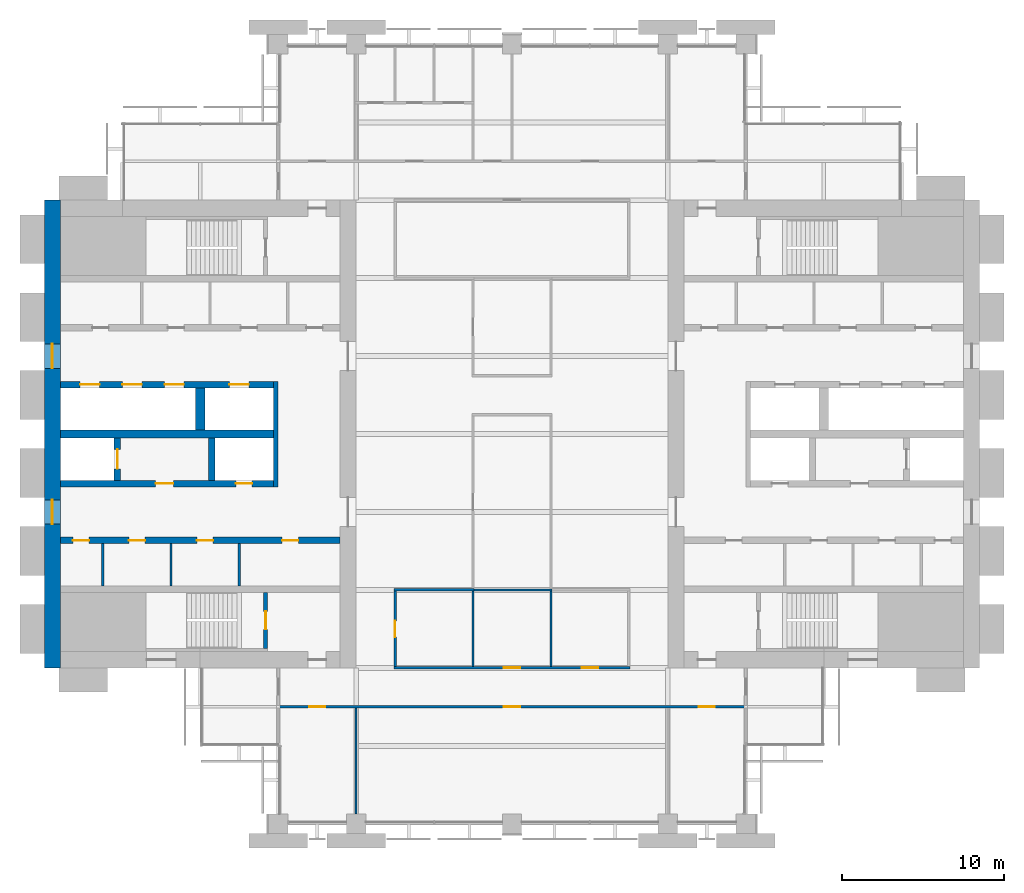
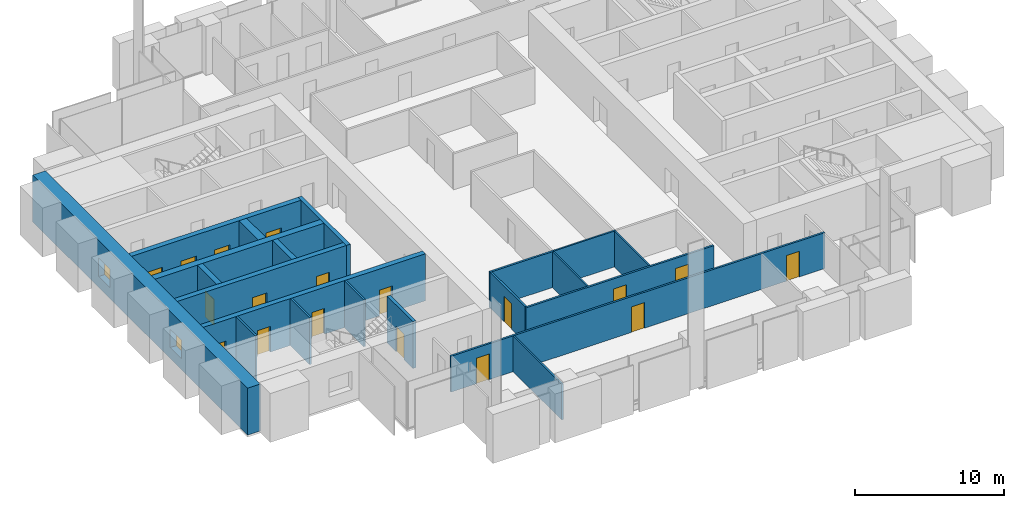
# One storey, part 9 of 14: 21 walls, 18 doors, 2 windows, 20 openings.
"""IFC4 building model written with IfcOpenShell, lengths in metres."""

from ifc_helpers import new_model, si_unit, direction, frame, frame_2d, origin, place, context, subcontext, project, spatial, rectangle, extrude, material, layer, layer_set, type_object, element, fill, save


model = new_model("IFC4")

# Units and contexts
model_context = context("Model", 3, precision=1e-05, world=origin(), true_north=direction((0.0, 1.0)))
body_context = subcontext(model_context, "Body", "Model", "MODEL_VIEW")
ifc_project = project(units=[si_unit("LENGTHUNIT", "METRE"), si_unit("AREAUNIT", "SQUARE_METRE"), si_unit("VOLUMEUNIT", "CUBIC_METRE"), si_unit("PLANEANGLEUNIT", "RADIAN"), si_unit("MASSUNIT", "GRAM", prefix="KILO")], contexts=[model_context])

# Site, building, storey
site_placement = place(None, origin())
site = spatial("IfcSite", under=ifc_project, at=site_placement, CompositionType="ELEMENT")
building_placement = place(site_placement, origin())
building = spatial("IfcBuilding", under=site, at=building_placement, Name="Baori Bourse Tower", CompositionType="ELEMENT")
storey_placement = place(building_placement, frame((0.0, 0.0, 132.10009765625)))
storey = spatial("IfcBuildingStorey", under=building, at=storey_placement, Name="L28", CompositionType="ELEMENT", Elevation=132.10009765625)

# Walls
ifc_material_1 = material(Name="Blockwork partition", Category="masonry")
ifc_layer_1 = layer(ifc_material_1, 0.14990234375)
ifc_layer_set_1 = layer_set([ifc_layer_1], Name="Core partition 150")
wall_type_1 = type_object("IfcWallType", Name="Core partition 150", PredefinedType="PARTITIONING", material=ifc_layer_set_1)
for number, where, z_axis, x_axis, name in (
    (1, (3.60009765625, 14.64990234375, 0.0), (0.0, 0.0, 1.0), (0.0, 1.0, 0.0), "Partition wall W10"),
    (2, (7.800048828125, 14.64990234375, 0.0), (0.0, 0.0, 1.0), (0.0, 1.0, 0.0), "Partition wall W11"),
    (3, (12.0, 14.64990234375, 0.0), (0.0, 0.0, 1.0), (0.0, 1.0, 0.0), "Partition wall W12"),
):
    element("IfcWall", number, at=place(storey_placement, frame(where, z_axis=z_axis, x_axis=x_axis)), inside=storey, type_object=wall_type_1, Name=name, PredefinedType="PARTITIONING", context=body_context, shape_type="SweptSolid", body=[
        extrude(rectangle(XDim=2.60009765625, YDim=0.14990234375, at=frame_2d((1.300048828125, 0.0))), origin(), (0.0, 0.0, 1.0), 3.83984375),
    ])

# Wall, openings, windows
ifc_material_2 = material(Name="Concrete f'c 60 MPa", Category="concrete")
ifc_layer_2 = layer(ifc_material_2, 1.0)
ifc_layer_set_2 = layer_set([ifc_layer_2], Name="Core wall 1000 f'c 60")
wall_type_2 = type_object("IfcWallType", Name="Core wall 1000 f'c 60", PredefinedType="SHEAR", material=ifc_layer_set_2)
wall_1_placement = place(storey_placement, frame((0.5, 9.60009765625, 0.0), z_axis=(0.0, 0.0, 1.0), x_axis=(0.0, 1.0, 0.0)))
wall_1 = element("IfcWall", 4, at=wall_1_placement, inside=storey, type_object=wall_type_2, Name="Core wall W01", PredefinedType="SHEAR", context=body_context, shape_type="SweptSolid", body=[
    extrude(rectangle(XDim=28.7998046875, YDim=1.0, at=frame_2d((14.39990234375, 0.0))), origin(), (0.0, 0.0, 1.0), 3.83984375),
])
opening_1_placement = place(wall_1_placement, frame((8.85009765625, 0.0, 0.89990234375)))
opening_1 = element("IfcOpeningElement", 5, at=opening_1_placement, cuts=wall_1, Name="Opening L28-KW101", PredefinedType="OPENING", context=body_context, shape_type="SweptSolid", body=[
    extrude(rectangle(XDim=1.5, YDim=1.5, at=frame_2d((0.75, 0.75))), frame((0.0, 0.510009765625, 0.0), z_axis=(0.0, -1.0, 0.0), x_axis=(1.0, 0.0, 0.0)), (0.0, 0.0, 1.0), 1.02001953125),
])
opening_2_placement = place(wall_1_placement, frame((18.449951171875, 0.0, 0.89990234375)))
opening_2 = element("IfcOpeningElement", 6, at=opening_2_placement, cuts=wall_1, Name="Opening L28-KW102", PredefinedType="OPENING", context=body_context, shape_type="SweptSolid", body=[
    extrude(rectangle(XDim=1.5, YDim=1.5, at=frame_2d((0.75, 0.75))), frame((0.0, 0.510009765625, 0.0), z_axis=(0.0, -1.0, 0.0), x_axis=(1.0, 0.0, 0.0)), (0.0, 0.0, 1.0), 1.02001953125),
])
ifc_material_3 = material(Name="Pale anodised aluminium", Category="aluminium")
window_type = type_object("IfcWindowType", Name="Lobby window 1500 x 1500", PartitioningType="SINGLE_PANEL", PredefinedType="WINDOW", material=ifc_material_3)
window_1_placement = place(opening_1_placement, origin())
window_1 = element("IfcWindow", 7, at=window_1_placement, inside=storey, type_object=window_type, Name="Outer wall window W L28 1", OverallHeight=1.5, OverallWidth=1.5, PartitioningType="SINGLE_PANEL", PredefinedType="WINDOW", context=body_context, shape_type="SweptSolid", body=[
    extrude(rectangle(XDim=1.5, YDim=1.5, at=frame_2d((0.75, 0.75))), frame((0.0, 0.030029296875, 0.0), z_axis=(0.0, -1.0, 0.0), x_axis=(1.0, 0.0, 0.0)), (0.0, 0.0, 1.0), 0.06005859375),
])
fill(opening_1, window_1)
window_2_placement = place(opening_2_placement, origin())
window_2 = element("IfcWindow", 8, at=window_2_placement, inside=storey, type_object=window_type, Name="Outer wall window W L28 2", OverallHeight=1.5, OverallWidth=1.5, PartitioningType="SINGLE_PANEL", PredefinedType="WINDOW", context=body_context, shape_type="SweptSolid", body=[
    extrude(rectangle(XDim=1.5, YDim=1.5, at=frame_2d((0.75, 0.75))), frame((0.0, 0.030029296875, 0.0), z_axis=(0.0, -1.0, 0.0), x_axis=(1.0, 0.0, 0.0)), (0.0, 0.0, 1.0), 0.06005859375),
])
fill(opening_2, window_2)

# Wall, openings, doors
ifc_material_4 = material(Name="Gypsum board partition")
ifc_layer_3 = layer(ifc_material_4, 0.14990234375)
ifc_layer_set_3 = layer_set([ifc_layer_3], Name="Corridor partition 150")
wall_type_3 = type_object("IfcWallType", Name="Corridor partition 150", PredefinedType="PARTITIONING", material=ifc_layer_set_3)
wall_2_placement = place(storey_placement, frame((14.324951171875, 7.199951171875, 0.0), z_axis=(0.0, 0.0, 1.0), x_axis=(1.0, 0.0, 0.0)))
wall_2 = element("IfcWall", 9, at=wall_2_placement, inside=storey, type_object=wall_type_3, Name="Partition", PredefinedType="PARTITIONING", context=body_context, shape_type="SweptSolid", body=[
    extrude(rectangle(XDim=28.949951171875, YDim=0.14990234375, at=frame_2d((14.47509765625, 0.0))), origin(), (0.0, 0.0, 1.0), 2.935546875),
])
opening_3_placement = place(wall_2_placement, frame((1.97509765625, 0.0, 0.0)))
opening_3 = element("IfcOpeningElement", 10, at=opening_3_placement, cuts=wall_2, Name="Opening L28-D01", PredefinedType="OPENING", context=body_context, shape_type="SweptSolid", body=[
    extrude(rectangle(XDim=1.0, YDim=2.10009765625, at=frame_2d((0.5, 1.050048828125))), frame((0.0, 0.0849609375, 0.0), z_axis=(0.0, -1.0, 0.0), x_axis=(1.0, 0.0, 0.0)), (0.0, 0.0, 1.0), 0.169921875),
])
opening_4_placement = place(wall_2_placement, frame((13.97509765625, 0.0, 0.0)))
opening_4 = element("IfcOpeningElement", 11, at=opening_4_placement, cuts=wall_2, Name="Opening L28-D02", PredefinedType="OPENING", context=body_context, shape_type="SweptSolid", body=[
    extrude(rectangle(XDim=1.0, YDim=2.10009765625, at=frame_2d((0.5, 1.050048828125))), frame((0.0, 0.0849609375, 0.0), z_axis=(0.0, -1.0, 0.0), x_axis=(1.0, 0.0, 0.0)), (0.0, 0.0, 1.0), 0.169921875),
])
opening_5_placement = place(wall_2_placement, frame((25.97509765625, 0.0, 0.0)))
opening_5 = element("IfcOpeningElement", 12, at=opening_5_placement, cuts=wall_2, Name="Opening L28-D03", PredefinedType="OPENING", context=body_context, shape_type="SweptSolid", body=[
    extrude(rectangle(XDim=1.0, YDim=2.10009765625, at=frame_2d((0.5, 1.050048828125))), frame((0.0, 0.0849609375, 0.0), z_axis=(0.0, -1.0, 0.0), x_axis=(1.0, 0.0, 0.0)), (0.0, 0.0, 1.0), 0.169921875),
])
ifc_material_5 = material(Name="Timber door leaf", Category="wood")
door_type_1 = type_object("IfcDoorType", Name="Door 1000 x 2100", OperationType="SINGLE_SWING_LEFT", PredefinedType="DOOR", material=ifc_material_5)
door_1_placement = place(opening_3_placement, origin())
door_1 = element("IfcDoor", 13, at=door_1_placement, inside=storey, type_object=door_type_1, Name="Door", OperationType="SINGLE_SWING_LEFT", OverallHeight=2.10009765625, OverallWidth=1.0, PredefinedType="DOOR", context=body_context, shape_type="SweptSolid", body=[
    extrude(rectangle(XDim=1.0, YDim=2.10009765625, at=frame_2d((0.5, 1.050048828125))), frame((0.0, 0.02490234375, 0.0), z_axis=(0.0, -1.0, 0.0), x_axis=(1.0, 0.0, 0.0)), (0.0, 0.0, 1.0), 0.050048828125),
])
fill(opening_3, door_1)
door_2_placement = place(opening_4_placement, origin())
door_2 = element("IfcDoor", 14, at=door_2_placement, inside=storey, type_object=door_type_1, Name="Door", OperationType="SINGLE_SWING_RIGHT", OverallHeight=2.10009765625, OverallWidth=1.0, PredefinedType="DOOR", context=body_context, shape_type="SweptSolid", body=[
    extrude(rectangle(XDim=1.0, YDim=2.10009765625, at=frame_2d((0.5, 1.050048828125))), frame((0.0, 0.02490234375, 0.0), z_axis=(0.0, -1.0, 0.0), x_axis=(1.0, 0.0, 0.0)), (0.0, 0.0, 1.0), 0.050048828125),
])
fill(opening_4, door_2)
door_3_placement = place(opening_5_placement, origin())
door_3 = element("IfcDoor", 15, at=door_3_placement, inside=storey, type_object=door_type_1, Name="Door", OperationType="SINGLE_SWING_RIGHT", OverallHeight=2.10009765625, OverallWidth=1.0, PredefinedType="DOOR", context=body_context, shape_type="SweptSolid", body=[
    extrude(rectangle(XDim=1.0, YDim=2.10009765625, at=frame_2d((0.5, 1.050048828125))), frame((0.0, 0.02490234375, 0.0), z_axis=(0.0, -1.0, 0.0), x_axis=(1.0, 0.0, 0.0)), (0.0, 0.0, 1.0), 0.050048828125),
])
fill(opening_5, door_3)

wall_3_placement = place(storey_placement, frame((21.52490234375, 9.60009765625, 0.0), z_axis=(0.0, 0.0, 1.0), x_axis=(1.0, 0.0, 0.0)))
wall_3 = element("IfcWall", 16, at=wall_3_placement, inside=storey, type_object=wall_type_3, Name="Partition", PredefinedType="PARTITIONING", context=body_context, shape_type="SweptSolid", body=[
    extrude(rectangle(XDim=14.550048828125, YDim=0.14990234375, at=frame_2d((7.27490234375, 0.0))), origin(), (0.0, 0.0, 1.0), 2.935546875),
])
opening_6_placement = place(wall_3_placement, frame((6.77490234375, 0.0, 0.0)))
opening_6 = element("IfcOpeningElement", 17, at=opening_6_placement, cuts=wall_3, Name="Opening L28-D04", PredefinedType="OPENING", context=body_context, shape_type="SweptSolid", body=[
    extrude(rectangle(XDim=1.0, YDim=2.10009765625, at=frame_2d((0.5, 1.050048828125))), frame((0.0, 0.0849609375, 0.0), z_axis=(0.0, -1.0, 0.0), x_axis=(1.0, 0.0, 0.0)), (0.0, 0.0, 1.0), 0.169921875),
])
opening_7_placement = place(wall_3_placement, frame((11.574951171875, 0.0, 0.0)))
opening_7 = element("IfcOpeningElement", 18, at=opening_7_placement, cuts=wall_3, Name="Opening L28-D05", PredefinedType="OPENING", context=body_context, shape_type="SweptSolid", body=[
    extrude(rectangle(XDim=1.0, YDim=2.10009765625, at=frame_2d((0.5, 1.050048828125))), frame((0.0, 0.0849609375, 0.0), z_axis=(0.0, -1.0, 0.0), x_axis=(1.0, 0.0, 0.0)), (0.0, 0.0, 1.0), 0.169921875),
])
door_4_placement = place(opening_6_placement, origin())
door_4 = element("IfcDoor", 19, at=door_4_placement, inside=storey, type_object=door_type_1, Name="Door", OperationType="SINGLE_SWING_RIGHT", OverallHeight=2.10009765625, OverallWidth=1.0, PredefinedType="DOOR", context=body_context, shape_type="SweptSolid", body=[
    extrude(rectangle(XDim=1.0, YDim=2.10009765625, at=frame_2d((0.5, 1.050048828125))), frame((0.0, 0.02490234375, 0.0), z_axis=(0.0, -1.0, 0.0), x_axis=(1.0, 0.0, 0.0)), (0.0, 0.0, 1.0), 0.050048828125),
])
fill(opening_6, door_4)
door_5_placement = place(opening_7_placement, origin())
door_5 = element("IfcDoor", 20, at=door_5_placement, inside=storey, type_object=door_type_1, Name="Door", OperationType="SINGLE_SWING_LEFT", OverallHeight=2.10009765625, OverallWidth=1.0, PredefinedType="DOOR", context=body_context, shape_type="SweptSolid", body=[
    extrude(rectangle(XDim=1.0, YDim=2.10009765625, at=frame_2d((0.5, 1.050048828125))), frame((0.0, 0.02490234375, 0.0), z_axis=(0.0, -1.0, 0.0), x_axis=(1.0, 0.0, 0.0)), (0.0, 0.0, 1.0), 0.050048828125),
])
fill(opening_7, door_5)

# Wall
wall_4_placement = place(storey_placement, frame((21.52490234375, 14.39990234375, 0.0), z_axis=(0.0, 0.0, 1.0), x_axis=(1.0, 0.0, 0.0)))
element("IfcWall", 21, at=wall_4_placement, inside=storey, type_object=wall_type_3, Name="Partition", PredefinedType="PARTITIONING", context=body_context, shape_type="SweptSolid", body=[
    extrude(rectangle(XDim=4.9501953125, YDim=0.14990234375, at=frame_2d((2.47509765625, 0.0))), origin(), (0.0, 0.0, 1.0), 2.935546875),
])

# Wall, opening, door
wall_5_placement = place(storey_placement, frame((21.60009765625, 9.675048828125, 0.0), z_axis=(0.0, 0.0, 1.0), x_axis=(0.0, 1.0, 0.0)))
wall_5 = element("IfcWall", 22, at=wall_5_placement, inside=storey, type_object=wall_type_3, Name="Partition", PredefinedType="PARTITIONING", context=body_context, shape_type="SweptSolid", body=[
    extrude(rectangle(XDim=4.64990234375, YDim=0.14990234375, at=frame_2d((2.324951171875, 0.0))), origin(), (0.0, 0.0, 1.0), 2.935546875),
])
opening_8_placement = place(wall_5_placement, frame((1.824951171875, 0.0, 0.0)))
opening_8 = element("IfcOpeningElement", 23, at=opening_8_placement, cuts=wall_5, Name="Opening L28-D17", PredefinedType="OPENING", context=body_context, shape_type="SweptSolid", body=[
    extrude(rectangle(XDim=1.0, YDim=2.10009765625, at=frame_2d((0.5, 1.050048828125))), frame((0.0, 0.0849609375, 0.0), z_axis=(0.0, -1.0, 0.0), x_axis=(1.0, 0.0, 0.0)), (0.0, 0.0, 1.0), 0.169921875),
])
door_6_placement = place(opening_8_placement, origin())
door_6 = element("IfcDoor", 24, at=door_6_placement, inside=storey, type_object=door_type_1, Name="Door", OperationType="SINGLE_SWING_LEFT", OverallHeight=2.10009765625, OverallWidth=1.0, PredefinedType="DOOR", context=body_context, shape_type="SweptSolid", body=[
    extrude(rectangle(XDim=1.0, YDim=2.10009765625, at=frame_2d((0.5, 1.050048828125))), frame((0.0, 0.02490234375, 0.0), z_axis=(0.0, -1.0, 0.0), x_axis=(1.0, 0.0, 0.0)), (0.0, 0.0, 1.0), 0.050048828125),
])
fill(opening_8, door_6)

# Walls
ifc_material_6 = material(Name="Gypsum board partition")
ifc_layer_4 = layer(ifc_material_6, 0.125)
ifc_layer_set_4 = layer_set([ifc_layer_4], Name="Partition 125")
wall_type_4 = type_object("IfcWallType", Name="Partition 125", PredefinedType="PARTITIONING", material=ifc_layer_set_4)
wall_6_placement = place(storey_placement, frame((26.47509765625, 14.39990234375, 0.0), z_axis=(0.0, 0.0, 1.0), x_axis=(1.0, 0.0, 0.0)))
element("IfcWall", 25, at=wall_6_placement, inside=storey, type_object=wall_type_4, Name="Partition", PredefinedType="PARTITIONING", context=body_context, shape_type="SweptSolid", body=[
    extrude(rectangle(XDim=4.7998046875, YDim=0.125, at=frame_2d((2.39990234375, 0.0))), origin(), (0.0, 0.0, 1.0), 2.935546875),
])
wall_7_placement = place(storey_placement, frame((19.199951171875, 0.60009765625, 0.0), z_axis=(0.0, 0.0, 1.0), x_axis=(0.0, 1.0, 0.0)))
element("IfcWall", 26, at=wall_7_placement, inside=storey, type_object=wall_type_4, Name="Partition", PredefinedType="PARTITIONING", context=body_context, shape_type="SweptSolid", body=[
    extrude(rectangle(XDim=6.52490234375, YDim=0.125, at=frame_2d((3.262451171875, 0.0))), origin(), (0.0, 0.0, 1.0), 2.935546875),
])
for number, where, z_axis, x_axis, name in (
    (27, (26.39990234375, 9.675048828125, 0.0), (0.0, 0.0, 1.0), (0.0, 1.0, 0.0), "Partition"),
    (28, (31.199951171875, 9.675048828125, 0.0), (0.0, 0.0, 1.0), (0.0, 1.0, 0.0), "Partition"),
):
    element("IfcWall", number, at=place(storey_placement, frame(where, z_axis=z_axis, x_axis=x_axis)), inside=storey, type_object=wall_type_4, Name=name, PredefinedType="PARTITIONING", context=body_context, shape_type="SweptSolid", body=[
        extrude(rectangle(XDim=4.64990234375, YDim=0.125, at=frame_2d((2.324951171875, 0.0))), origin(), (0.0, 0.0, 1.0), 2.935546875),
    ])

# Wall, opening, door
ifc_material_7 = material(Name="Concrete f'c 60 MPa", Category="concrete")
ifc_layer_5 = layer(ifc_material_7, 0.25)
ifc_layer_set_5 = layer_set([ifc_layer_5], Name="Shaft wall 250 f'c 60")
wall_type_5 = type_object("IfcWallType", Name="Shaft wall 250 f'c 60", PredefinedType="SHEAR", material=ifc_layer_set_5)
wall_8_placement = place(storey_placement, frame((13.625, 10.800048828125, 0.0), z_axis=(0.0, 0.0, 1.0), x_axis=(0.0, 1.0, 0.0)))
wall_8 = element("IfcWall", 29, at=wall_8_placement, inside=storey, type_object=wall_type_5, Name="Core wall W08", PredefinedType="SHEAR", context=body_context, shape_type="SweptSolid", body=[
    extrude(rectangle(XDim=3.449951171875, YDim=0.25, at=frame_2d((1.72509765625, 0.0))), origin(), (0.0, 0.0, 1.0), 3.83984375),
])
opening_9_placement = place(wall_8_placement, frame((1.175048828125, 0.0, 0.0)))
opening_9 = element("IfcOpeningElement", 30, at=opening_9_placement, cuts=wall_8, Name="Opening L28-D101", PredefinedType="OPENING", context=body_context, shape_type="SweptSolid", body=[
    extrude(rectangle(XDim=1.10009765625, YDim=2.10009765625, at=frame_2d((0.550048828125, 1.050048828125))), frame((0.0, 0.135009765625, 0.0), z_axis=(0.0, -1.0, 0.0), x_axis=(1.0, 0.0, 0.0)), (0.0, 0.0, 1.0), 0.27001953125),
])
ifc_material_8 = material(Name="Painted steel door", Category="steel")
door_type_2 = type_object("IfcDoorType", Name="Stair door 1100", OperationType="SINGLE_SWING_LEFT", PredefinedType="DOOR", material=ifc_material_8)
door_7_placement = place(opening_9_placement, origin())
door_7 = element("IfcDoor", 31, at=door_7_placement, inside=storey, type_object=door_type_2, Name="Stair door A W L28", OperationType="SINGLE_SWING_LEFT", OverallHeight=2.10009765625, OverallWidth=1.10009765625, PredefinedType="DOOR", context=body_context, shape_type="SweptSolid", body=[
    extrude(rectangle(XDim=1.10009765625, YDim=2.10009765625, at=frame_2d((0.550048828125, 1.050048828125))), frame((0.0, 0.02490234375, 0.0), z_axis=(0.0, -1.0, 0.0), x_axis=(1.0, 0.0, 0.0)), (0.0, 0.0, 1.0), 0.050048828125),
])
fill(opening_9, door_7)

# Wall
ifc_material_9 = material(Name="Concrete f'c 60 MPa", Category="concrete")
ifc_layer_6 = layer(ifc_material_9, 0.300048828125)
ifc_layer_set_6 = layer_set([ifc_layer_6], Name="Shaft wall 300 f'c 60")
wall_type_6 = type_object("IfcWallType", Name="Shaft wall 300 f'c 60", PredefinedType="SHEAR", material=ifc_layer_set_6)
wall_9_placement = place(storey_placement, frame((14.25, 20.75, 0.0), z_axis=(0.0, 0.0, 1.0), x_axis=(0.0, 1.0, 0.0)))
element("IfcWall", 32, at=wall_9_placement, inside=storey, type_object=wall_type_6, Name="Core wall W15", PredefinedType="SHEAR", context=body_context, shape_type="SweptSolid", body=[
    extrude(rectangle(XDim=6.5, YDim=0.300048828125, at=frame_2d((3.25, 0.0))), origin(), (0.0, 0.0, 1.0), 3.83984375),
])

# Wall, openings, doors
ifc_material_10 = material(Name="Concrete f'c 60 MPa", Category="concrete")
ifc_layer_7 = layer(ifc_material_10, 0.39990234375)
ifc_layer_set_7 = layer_set([ifc_layer_7], Name="Shaft wall 400 f'c 60")
wall_type_7 = type_object("IfcWallType", Name="Shaft wall 400 f'c 60", PredefinedType="SHEAR", material=ifc_layer_set_7)
wall_10_placement = place(storey_placement, frame((1.0, 17.449951171875, 0.0), z_axis=(0.0, 0.0, 1.0), x_axis=(1.0, 0.0, 0.0)))
wall_10 = element("IfcWall", 33, at=wall_10_placement, inside=storey, type_object=wall_type_7, Name="Core wall W13", PredefinedType="SHEAR", context=body_context, shape_type="SweptSolid", body=[
    extrude(rectangle(XDim=17.199951171875, YDim=0.39990234375, at=frame_2d((8.60009765625, 0.0))), origin(), (0.0, 0.0, 1.0), 3.83984375),
])
opening_10_placement = place(wall_10_placement, frame((0.762451171875, 0.0, 0.0)))
opening_10 = element("IfcOpeningElement", 34, at=opening_10_placement, cuts=wall_10, Name="Opening L28-D113", PredefinedType="OPENING", context=body_context, shape_type="SweptSolid", body=[
    extrude(rectangle(XDim=1.0, YDim=2.10009765625, at=frame_2d((0.5, 1.050048828125))), frame((0.0, 0.2099609375, 0.0), z_axis=(0.0, -1.0, 0.0), x_axis=(1.0, 0.0, 0.0)), (0.0, 0.0, 1.0), 0.419921875),
])
opening_11_placement = place(wall_10_placement, frame((4.199951171875, 0.0, 0.0)))
opening_11 = element("IfcOpeningElement", 35, at=opening_11_placement, cuts=wall_10, Name="Opening L28-D114", PredefinedType="OPENING", context=body_context, shape_type="SweptSolid", body=[
    extrude(rectangle(XDim=1.0, YDim=2.10009765625, at=frame_2d((0.5, 1.050048828125))), frame((0.0, 0.2099609375, 0.0), z_axis=(0.0, -1.0, 0.0), x_axis=(1.0, 0.0, 0.0)), (0.0, 0.0, 1.0), 0.419921875),
])
opening_12_placement = place(wall_10_placement, frame((8.39990234375, 0.0, 0.0)))
opening_12 = element("IfcOpeningElement", 36, at=opening_12_placement, cuts=wall_10, Name="Opening L28-D115", PredefinedType="OPENING", context=body_context, shape_type="SweptSolid", body=[
    extrude(rectangle(XDim=1.0, YDim=2.10009765625, at=frame_2d((0.5, 1.050048828125))), frame((0.0, 0.2099609375, 0.0), z_axis=(0.0, -1.0, 0.0), x_axis=(1.0, 0.0, 0.0)), (0.0, 0.0, 1.0), 0.419921875),
])
opening_13_placement = place(wall_10_placement, frame((13.637451171875, 0.0, 0.0)))
opening_13 = element("IfcOpeningElement", 37, at=opening_13_placement, cuts=wall_10, Name="Opening L28-D116", PredefinedType="OPENING", context=body_context, shape_type="SweptSolid", body=[
    extrude(rectangle(XDim=1.0, YDim=2.10009765625, at=frame_2d((0.5, 1.050048828125))), frame((0.0, 0.2099609375, 0.0), z_axis=(0.0, -1.0, 0.0), x_axis=(1.0, 0.0, 0.0)), (0.0, 0.0, 1.0), 0.419921875),
])
ifc_material_11 = material(Name="Painted steel door", Category="steel")
door_type_3 = type_object("IfcDoorType", Name="Core door 1000", OperationType="SINGLE_SWING_LEFT", PredefinedType="DOOR", material=ifc_material_11)
door_8_placement = place(opening_10_placement, origin())
door_8 = element("IfcDoor", 38, at=door_8_placement, inside=storey, type_object=door_type_3, Name="Janitor'S Closet door W L28", OperationType="SINGLE_SWING_LEFT", OverallHeight=2.10009765625, OverallWidth=1.0, PredefinedType="DOOR", context=body_context, shape_type="SweptSolid", body=[
    extrude(rectangle(XDim=1.0, YDim=2.10009765625, at=frame_2d((0.5, 1.050048828125))), frame((0.0, 0.02490234375, 0.0), z_axis=(0.0, -1.0, 0.0), x_axis=(1.0, 0.0, 0.0)), (0.0, 0.0, 1.0), 0.050048828125),
])
fill(opening_10, door_8)
door_9_placement = place(opening_11_placement, origin())
door_9 = element("IfcDoor", 39, at=door_9_placement, inside=storey, type_object=door_type_3, Name="Women'S Wc door W L28", OperationType="SINGLE_SWING_LEFT", OverallHeight=2.10009765625, OverallWidth=1.0, PredefinedType="DOOR", context=body_context, shape_type="SweptSolid", body=[
    extrude(rectangle(XDim=1.0, YDim=2.10009765625, at=frame_2d((0.5, 1.050048828125))), frame((0.0, 0.02490234375, 0.0), z_axis=(0.0, -1.0, 0.0), x_axis=(1.0, 0.0, 0.0)), (0.0, 0.0, 1.0), 0.050048828125),
])
fill(opening_11, door_9)
door_10_placement = place(opening_12_placement, origin())
door_10 = element("IfcDoor", 40, at=door_10_placement, inside=storey, type_object=door_type_3, Name="Accessible Wc door W L28", OperationType="SINGLE_SWING_LEFT", OverallHeight=2.10009765625, OverallWidth=1.0, PredefinedType="DOOR", context=body_context, shape_type="SweptSolid", body=[
    extrude(rectangle(XDim=1.0, YDim=2.10009765625, at=frame_2d((0.5, 1.050048828125))), frame((0.0, 0.02490234375, 0.0), z_axis=(0.0, -1.0, 0.0), x_axis=(1.0, 0.0, 0.0)), (0.0, 0.0, 1.0), 0.050048828125),
])
fill(opening_12, door_10)
door_11_placement = place(opening_13_placement, origin())
door_11 = element("IfcDoor", 41, at=door_11_placement, inside=storey, type_object=door_type_3, Name="Men'S Wc door W L28", OperationType="SINGLE_SWING_LEFT", OverallHeight=2.10009765625, OverallWidth=1.0, PredefinedType="DOOR", context=body_context, shape_type="SweptSolid", body=[
    extrude(rectangle(XDim=1.0, YDim=2.10009765625, at=frame_2d((0.5, 1.050048828125))), frame((0.0, 0.02490234375, 0.0), z_axis=(0.0, -1.0, 0.0), x_axis=(1.0, 0.0, 0.0)), (0.0, 0.0, 1.0), 0.050048828125),
])
fill(opening_13, door_11)

wall_11_placement = place(storey_placement, frame((1.0, 20.949951171875, 0.0), z_axis=(0.0, 0.0, 1.0), x_axis=(1.0, 0.0, 0.0)))
wall_11 = element("IfcWall", 42, at=wall_11_placement, inside=storey, type_object=wall_type_7, Name="Core wall W14", PredefinedType="SHEAR", context=body_context, shape_type="SweptSolid", body=[
    extrude(rectangle(XDim=13.10009765625, YDim=0.39990234375, at=frame_2d((6.550048828125, 0.0))), origin(), (0.0, 0.0, 1.0), 3.83984375),
])
opening_14_placement = place(wall_11_placement, frame((5.85009765625, 0.0, 0.0)))
opening_14 = element("IfcOpeningElement", 43, at=opening_14_placement, cuts=wall_11, Name="Opening L28-D105", PredefinedType="OPENING", context=body_context, shape_type="SweptSolid", body=[
    extrude(rectangle(XDim=1.10009765625, YDim=2.10009765625, at=frame_2d((0.550048828125, 1.050048828125))), frame((0.0, 0.2099609375, 0.0), z_axis=(0.0, -1.0, 0.0), x_axis=(1.0, 0.0, 0.0)), (0.0, 0.0, 1.0), 0.419921875),
])
opening_15_placement = place(wall_11_placement, frame((10.800048828125, 0.0, 0.0)))
opening_15 = element("IfcOpeningElement", 44, at=opening_15_placement, cuts=wall_11, Name="Opening L28-D106", PredefinedType="OPENING", context=body_context, shape_type="SweptSolid", body=[
    extrude(rectangle(XDim=1.0, YDim=2.10009765625, at=frame_2d((0.5, 1.050048828125))), frame((0.0, 0.2099609375, 0.0), z_axis=(0.0, -1.0, 0.0), x_axis=(1.0, 0.0, 0.0)), (0.0, 0.0, 1.0), 0.419921875),
])
ifc_material_12 = material(Name="Painted steel door", Category="steel")
door_type_4 = type_object("IfcDoorType", Name="Lobby door 1100", OperationType="SINGLE_SWING_LEFT", PredefinedType="DOOR", material=ifc_material_12)
door_12_placement = place(opening_14_placement, origin())
door_12 = element("IfcDoor", 45, at=door_12_placement, inside=storey, type_object=door_type_4, Name="Firefighting lobby door W L28", OperationType="SINGLE_SWING_LEFT", OverallHeight=2.10009765625, OverallWidth=1.10009765625, PredefinedType="DOOR", context=body_context, shape_type="SweptSolid", body=[
    extrude(rectangle(XDim=1.10009765625, YDim=2.10009765625, at=frame_2d((0.550048828125, 1.050048828125))), frame((0.0, 0.02490234375, 0.0), z_axis=(0.0, -1.0, 0.0), x_axis=(1.0, 0.0, 0.0)), (0.0, 0.0, 1.0), 0.050048828125),
])
fill(opening_14, door_12)
ifc_material_13 = material(Name="Painted steel door", Category="steel")
door_type_5 = type_object("IfcDoorType", Name="Shaft door 1000", OperationType="SINGLE_SWING_LEFT", PredefinedType="DOOR", material=ifc_material_13)
door_13_placement = place(opening_15_placement, origin())
door_13 = element("IfcDoor", 46, at=door_13_placement, inside=storey, type_object=door_type_5, Name="Riser room door W L28", OperationType="SINGLE_SWING_LEFT", OverallHeight=2.10009765625, OverallWidth=1.0, PredefinedType="DOOR", context=body_context, shape_type="SweptSolid", body=[
    extrude(rectangle(XDim=1.0, YDim=2.10009765625, at=frame_2d((0.5, 1.050048828125))), frame((0.0, 0.02490234375, 0.0), z_axis=(0.0, -1.0, 0.0), x_axis=(1.0, 0.0, 0.0)), (0.0, 0.0, 1.0), 0.050048828125),
])
fill(opening_15, door_13)

# Wall, opening, door
wall_12_placement = place(storey_placement, frame((4.5, 21.14990234375, 0.0), z_axis=(0.0, 0.0, 1.0), x_axis=(0.0, 1.0, 0.0)))
wall_12 = element("IfcWall", 47, at=wall_12_placement, inside=storey, type_object=wall_type_7, Name="Core wall W16", PredefinedType="SHEAR", context=body_context, shape_type="SweptSolid", body=[
    extrude(rectangle(XDim=2.60009765625, YDim=0.39990234375, at=frame_2d((1.300048828125, 0.0))), origin(), (0.0, 0.0, 1.0), 3.83984375),
])
opening_16_placement = place(wall_12_placement, frame((0.699951171875, 0.0, 0.0)))
opening_16 = element("IfcOpeningElement", 48, at=opening_16_placement, cuts=wall_12, Name="Opening L28-D121", PredefinedType="OPENING", context=body_context, shape_type="SweptSolid", body=[
    extrude(rectangle(XDim=1.199951171875, YDim=2.10009765625, at=frame_2d((0.60009765625, 1.050048828125))), frame((0.0, 0.2099609375, 0.0), z_axis=(0.0, -1.0, 0.0), x_axis=(1.0, 0.0, 0.0)), (0.0, 0.0, 1.0), 0.419921875),
])
ifc_material_14 = material(Name="Stainless steel door", Category="steel")
door_type_6 = type_object("IfcDoorType", Name="Lift landing door", OperationType="DOUBLE_DOOR_SLIDING", PredefinedType="DOOR", material=ifc_material_14)
door_14_placement = place(opening_16_placement, origin())
door_14 = element("IfcDoor", 49, at=door_14_placement, inside=storey, type_object=door_type_6, Name="Lift landing door FF1 W L28", OperationType="DOUBLE_DOOR_SLIDING", OverallHeight=2.10009765625, OverallWidth=1.199951171875, PredefinedType="DOOR", context=body_context, shape_type="SweptSolid", body=[
    extrude(rectangle(XDim=1.199951171875, YDim=2.10009765625, at=frame_2d((0.60009765625, 1.050048828125))), frame((0.0, 0.02490234375, 0.0), z_axis=(0.0, -1.0, 0.0), x_axis=(1.0, 0.0, 0.0)), (0.0, 0.0, 1.0), 0.050048828125),
])
fill(opening_16, door_14)

# Wall
wall_13_placement = place(storey_placement, frame((10.300048828125, 21.14990234375, 0.0), z_axis=(0.0, 0.0, 1.0), x_axis=(0.0, 1.0, 0.0)))
element("IfcWall", 50, at=wall_13_placement, inside=storey, type_object=wall_type_7, Name="Core wall W17", PredefinedType="SHEAR", context=body_context, shape_type="SweptSolid", body=[
    extrude(rectangle(XDim=2.60009765625, YDim=0.39990234375, at=frame_2d((1.300048828125, 0.0))), origin(), (0.0, 0.0, 1.0), 3.83984375),
])

# Wall, openings, doors
wall_14_placement = place(storey_placement, frame((1.0, 27.050048828125, 0.0), z_axis=(0.0, 0.0, 1.0), x_axis=(1.0, 0.0, 0.0)))
wall_14 = element("IfcWall", 51, at=wall_14_placement, inside=storey, type_object=wall_type_7, Name="Core wall W20", PredefinedType="SHEAR", context=body_context, shape_type="SweptSolid", body=[
    extrude(rectangle(XDim=13.10009765625, YDim=0.39990234375, at=frame_2d((6.550048828125, 0.0))), origin(), (0.0, 0.0, 1.0), 3.83984375),
])
opening_17_placement = place(wall_14_placement, frame((1.199951171875, 0.0, 0.0)))
opening_17 = element("IfcOpeningElement", 52, at=opening_17_placement, cuts=wall_14, Name="Opening L28-D117", PredefinedType="OPENING", context=body_context, shape_type="SweptSolid", body=[
    extrude(rectangle(XDim=1.199951171875, YDim=2.10009765625, at=frame_2d((0.60009765625, 1.050048828125))), frame((0.0, 0.2099609375, 0.0), z_axis=(0.0, -1.0, 0.0), x_axis=(1.0, 0.0, 0.0)), (0.0, 0.0, 1.0), 0.419921875),
])
opening_18_placement = place(wall_14_placement, frame((3.800048828125, 0.0, 0.0)))
opening_18 = element("IfcOpeningElement", 53, at=opening_18_placement, cuts=wall_14, Name="Opening L28-D118", PredefinedType="OPENING", context=body_context, shape_type="SweptSolid", body=[
    extrude(rectangle(XDim=1.199951171875, YDim=2.10009765625, at=frame_2d((0.60009765625, 1.050048828125))), frame((0.0, 0.2099609375, 0.0), z_axis=(0.0, -1.0, 0.0), x_axis=(1.0, 0.0, 0.0)), (0.0, 0.0, 1.0), 0.419921875),
])
opening_19_placement = place(wall_14_placement, frame((6.39990234375, 0.0, 0.0)))
opening_19 = element("IfcOpeningElement", 54, at=opening_19_placement, cuts=wall_14, Name="Opening L28-D119", PredefinedType="OPENING", context=body_context, shape_type="SweptSolid", body=[
    extrude(rectangle(XDim=1.199951171875, YDim=2.10009765625, at=frame_2d((0.60009765625, 1.050048828125))), frame((0.0, 0.2099609375, 0.0), z_axis=(0.0, -1.0, 0.0), x_axis=(1.0, 0.0, 0.0)), (0.0, 0.0, 1.0), 0.419921875),
])
opening_20_placement = place(wall_14_placement, frame((10.39990234375, 0.0, 0.0)))
opening_20 = element("IfcOpeningElement", 55, at=opening_20_placement, cuts=wall_14, Name="Opening L28-D120", PredefinedType="OPENING", context=body_context, shape_type="SweptSolid", body=[
    extrude(rectangle(XDim=1.199951171875, YDim=2.10009765625, at=frame_2d((0.60009765625, 1.050048828125))), frame((0.0, 0.2099609375, 0.0), z_axis=(0.0, -1.0, 0.0), x_axis=(1.0, 0.0, 0.0)), (0.0, 0.0, 1.0), 0.419921875),
])
door_15_placement = place(opening_17_placement, origin())
door_15 = element("IfcDoor", 56, at=door_15_placement, inside=storey, type_object=door_type_6, Name="Lift landing door SH1 W L28", OperationType="DOUBLE_DOOR_SLIDING", OverallHeight=2.10009765625, OverallWidth=1.199951171875, PredefinedType="DOOR", context=body_context, shape_type="SweptSolid", body=[
    extrude(rectangle(XDim=1.199951171875, YDim=2.10009765625, at=frame_2d((0.60009765625, 1.050048828125))), frame((0.0, 0.02490234375, 0.0), z_axis=(0.0, -1.0, 0.0), x_axis=(1.0, 0.0, 0.0)), (0.0, 0.0, 1.0), 0.050048828125),
])
fill(opening_17, door_15)
door_16_placement = place(opening_18_placement, origin())
door_16 = element("IfcDoor", 57, at=door_16_placement, inside=storey, type_object=door_type_6, Name="Lift landing door SH2 W L28", OperationType="DOUBLE_DOOR_SLIDING", OverallHeight=2.10009765625, OverallWidth=1.199951171875, PredefinedType="DOOR", context=body_context, shape_type="SweptSolid", body=[
    extrude(rectangle(XDim=1.199951171875, YDim=2.10009765625, at=frame_2d((0.60009765625, 1.050048828125))), frame((0.0, 0.02490234375, 0.0), z_axis=(0.0, -1.0, 0.0), x_axis=(1.0, 0.0, 0.0)), (0.0, 0.0, 1.0), 0.050048828125),
])
fill(opening_18, door_16)
door_17_placement = place(opening_19_placement, origin())
door_17 = element("IfcDoor", 58, at=door_17_placement, inside=storey, type_object=door_type_6, Name="Lift landing door SH3 W L28", OperationType="DOUBLE_DOOR_SLIDING", OverallHeight=2.10009765625, OverallWidth=1.199951171875, PredefinedType="DOOR", context=body_context, shape_type="SweptSolid", body=[
    extrude(rectangle(XDim=1.199951171875, YDim=2.10009765625, at=frame_2d((0.60009765625, 1.050048828125))), frame((0.0, 0.02490234375, 0.0), z_axis=(0.0, -1.0, 0.0), x_axis=(1.0, 0.0, 0.0)), (0.0, 0.0, 1.0), 0.050048828125),
])
fill(opening_19, door_17)
door_18_placement = place(opening_20_placement, origin())
door_18 = element("IfcDoor", 59, at=door_18_placement, inside=storey, type_object=door_type_6, Name="Lift landing door SV1 W L28", OperationType="DOUBLE_DOOR_SLIDING", OverallHeight=2.10009765625, OverallWidth=1.199951171875, PredefinedType="DOOR", context=body_context, shape_type="SweptSolid", body=[
    extrude(rectangle(XDim=1.199951171875, YDim=2.10009765625, at=frame_2d((0.60009765625, 1.050048828125))), frame((0.0, 0.02490234375, 0.0), z_axis=(0.0, -1.0, 0.0), x_axis=(1.0, 0.0, 0.0)), (0.0, 0.0, 1.0), 0.050048828125),
])
fill(opening_20, door_18)

# Walls
ifc_material_15 = material(Name="Concrete f'c 60 MPa", Category="concrete")
ifc_layer_8 = layer(ifc_material_15, 0.5)
ifc_layer_set_8 = layer_set([ifc_layer_8], Name="Shaft wall 500 f'c 60")
wall_type_8 = type_object("IfcWallType", Name="Shaft wall 500 f'c 60", PredefinedType="SHEAR", material=ifc_layer_set_8)
wall_15_placement = place(storey_placement, frame((1.0, 24.0, 0.0), z_axis=(0.0, 0.0, 1.0), x_axis=(1.0, 0.0, 0.0)))
element("IfcWall", 60, at=wall_15_placement, inside=storey, type_object=wall_type_8, Name="Core wall W18", PredefinedType="SHEAR", context=body_context, shape_type="SweptSolid", body=[
    extrude(rectangle(XDim=13.10009765625, YDim=0.5, at=frame_2d((6.550048828125, 0.0))), origin(), (0.0, 0.0, 1.0), 3.83984375),
])
ifc_material_16 = material(Name="Concrete f'c 60 MPa", Category="concrete")
ifc_layer_9 = layer(ifc_material_16, 0.60009765625)
ifc_layer_set_9 = layer_set([ifc_layer_9], Name="Shaft wall 600 f'c 60")
wall_type_9 = type_object("IfcWallType", Name="Shaft wall 600 f'c 60", PredefinedType="SHEAR", material=ifc_layer_set_9)
wall_16_placement = place(storey_placement, frame((9.60009765625, 24.25, 0.0), z_axis=(0.0, 0.0, 1.0), x_axis=(0.0, 1.0, 0.0)))
element("IfcWall", 61, at=wall_16_placement, inside=storey, type_object=wall_type_9, Name="Core wall W19", PredefinedType="SHEAR", context=body_context, shape_type="SweptSolid", body=[
    extrude(rectangle(XDim=2.60009765625, YDim=0.60009765625, at=frame_2d((1.300048828125, 0.0))), origin(), (0.0, 0.0, 1.0), 3.83984375),
])

save(model, "model.ifc")
